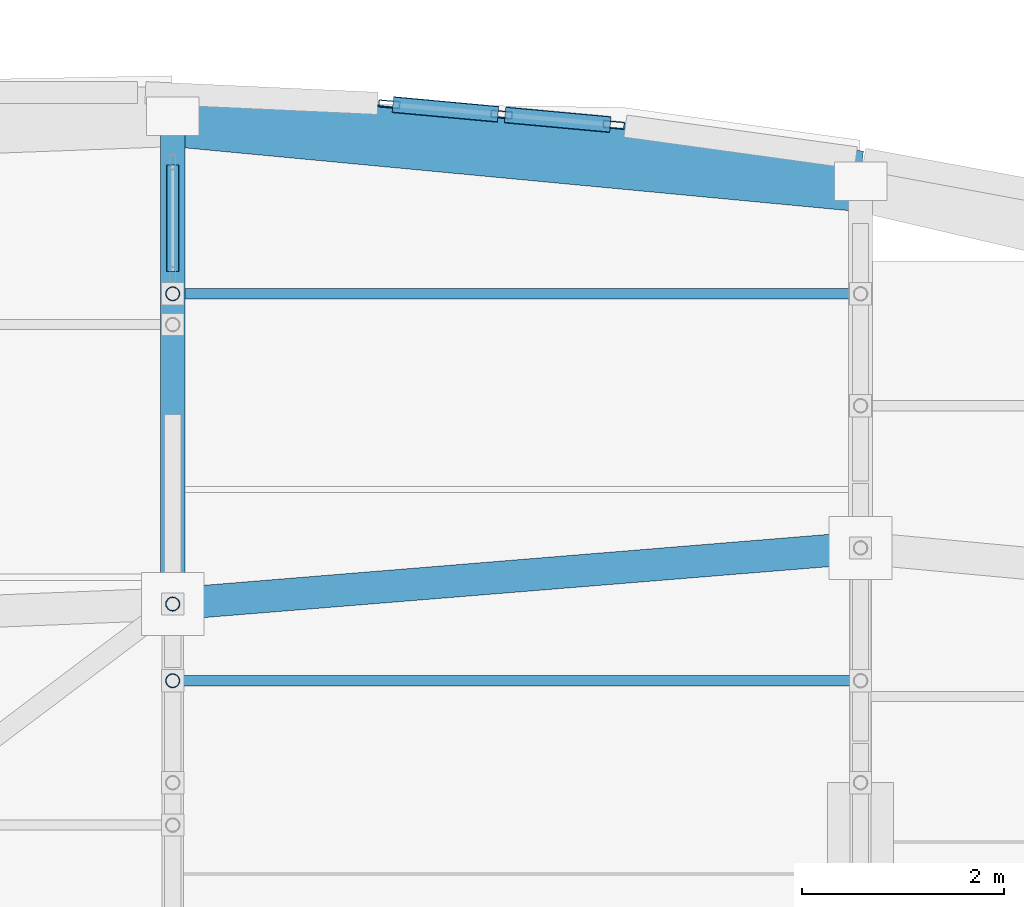
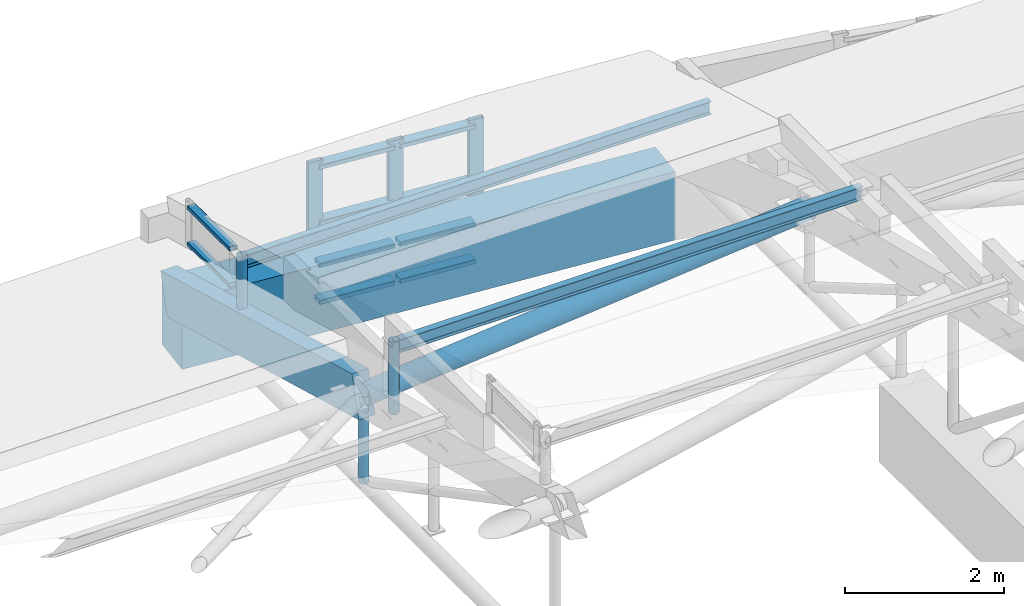
# One storey, part 101 of 188: 20 members, 1 beam, 2 elements without a shape of their own.
"""IFC4 building model written with IfcOpenShell, lengths in metres."""

from ifc_helpers import new_model, si_unit, direction, frame, origin, origin_2d, place, context, subcontext, project, spatial, rectangle, hollow_rectangle, hollow_circle, i_section, extrude, material, layer, layer_set, material_profile, profile_set, type_object, element, aggregate, save


model = new_model("IFC4")

# Units and contexts
model_context = context("Model", 3, precision=1e-05, world=origin(), true_north=direction((0.0, 1.0)))
body_context = subcontext(model_context, "Body", "Model", "MODEL_VIEW")
ifc_project = project(units=[si_unit("LENGTHUNIT", "METRE"), si_unit("AREAUNIT", "SQUARE_METRE"), si_unit("VOLUMEUNIT", "CUBIC_METRE"), si_unit("PLANEANGLEUNIT", "RADIAN"), si_unit("MASSUNIT", "GRAM", prefix="KILO")], contexts=[model_context])

# Site, building, storey
site_placement = place(None, origin())
site = spatial("IfcSite", under=ifc_project, at=site_placement, CompositionType="ELEMENT")
building_placement = place(site_placement, origin())
building = spatial("IfcBuilding", under=site, at=building_placement, Name="Kisaragi Civic Commons", CompositionType="ELEMENT")
storey_placement = place(building_placement, frame((0.0, 0.0, 9.60009765625)))
storey = spatial("IfcBuildingStorey", under=building, at=storey_placement, Name="L02", CompositionType="ELEMENT", Elevation=9.60009765625)

# Curtain wall, members
ifc_material_1 = material(Name="Thermally broken anodized aluminium and low-E double glazing", Category="aluminium")
ifc_layer_1 = layer(ifc_material_1, 0.2099609375, Name="Thermally broken anodized aluminium and low-E double glazing", Category="aluminium")
ifc_layer_set_1 = layer_set([ifc_layer_1], Name="Thermally broken anodized aluminium and low-E double glazing")
curtain_wall_type_1 = type_object("IfcCurtainWallType", Name="CW-02", PredefinedType="NOTDEFINED", material=ifc_layer_set_1)
curtain_wall_1_placement = place(storey_placement, origin())
curtain_wall_1 = element("IfcCurtainWall", 1, at=curtain_wall_1_placement, inside=storey, type_object=curtain_wall_type_1, Name="L02 curtain wall CW-02 CW-GAB-V2-224", PredefinedType="NOTDEFINED")
ifc_material_profile_1 = material_profile(ifc_material_1, hollow_rectangle(XDim=0.070068359375, YDim=0.2099609375, WallThickness=0.0048828125, InnerFilletRadius=0.0048828125, OuterFilletRadius=0.010009765625, at=origin_2d()), Name="CWM-70x210x5", Category="aluminium")
ifc_profile_set_1 = profile_set([ifc_material_profile_1], Name="Thermally broken anodized aluminium and low-E double glazing")
member_type_1 = type_object("IfcMemberType", Name="CWM-03", PredefinedType="MULLION", material=ifc_profile_set_1)
member_1_placement = place(storey_placement, frame((29.341064453125, 118.30712890625, -1.399169921875), z_axis=(0.0, 0.0, 1.0), x_axis=(0.091331750688, 0.995820521638, 0.0)))
member_1 = element("IfcMember", 2, at=member_1_placement, type_object=member_type_1, Name="CW-02 mullion 1", PredefinedType="MULLION", context=body_context, shape_type="SweptSolid", body=[
    extrude(hollow_rectangle(XDim=0.070068359375, YDim=0.2099609375, WallThickness=0.0048828125, InnerFilletRadius=0.0048828125, OuterFilletRadius=0.010009765625, at=origin_2d()), origin(), (0.0, 0.0, 1.0), 2.236328125),
])
member_2_placement = place(storey_placement, frame((30.451171875, 118.205322265625, -1.399169921875), z_axis=(0.0, 0.0, 1.0), x_axis=(0.091331750688, 0.995820521638, 0.0)))
member_2 = element("IfcMember", 3, at=member_2_placement, type_object=member_type_1, Name="CW-02 mullion 2", PredefinedType="MULLION", context=body_context, shape_type="SweptSolid", body=[
    extrude(hollow_rectangle(XDim=0.070068359375, YDim=0.2099609375, WallThickness=0.0048828125, InnerFilletRadius=0.0048828125, OuterFilletRadius=0.010009765625, at=origin_2d()), origin(), (0.0, 0.0, 1.0), 2.236328125),
])
member_3_placement = place(storey_placement, frame((31.56103515625, 118.103515625, -1.399169921875), z_axis=(0.0, 0.0, 1.0), x_axis=(0.091331750688, 0.995820521638, 0.0)))
member_3 = element("IfcMember", 4, at=member_3_placement, type_object=member_type_1, Name="CW-02 mullion 3", PredefinedType="MULLION", context=body_context, shape_type="SweptSolid", body=[
    extrude(hollow_rectangle(XDim=0.070068359375, YDim=0.2099609375, WallThickness=0.0048828125, InnerFilletRadius=0.0048828125, OuterFilletRadius=0.010009765625, at=origin_2d()), origin(), (0.0, 0.0, 1.0), 2.236328125),
])

ifc_layer_2 = layer(ifc_material_1, 0.14990234375, Name="Thermally broken anodized aluminium and low-E double glazing", Category="aluminium")
ifc_layer_set_2 = layer_set([ifc_layer_2], Name="Thermally broken anodized aluminium and low-E double glazing")
curtain_wall_type_2 = type_object("IfcCurtainWallType", Name="CW-03", PredefinedType="NOTDEFINED", material=ifc_layer_set_2)
curtain_wall_2_placement = place(storey_placement, origin())
curtain_wall_2 = element("IfcCurtainWall", 5, at=curtain_wall_2_placement, inside=storey, type_object=curtain_wall_type_2, Name="L02 curtain wall CW-03 CW-CL-V2-208", PredefinedType="NOTDEFINED")
ifc_material_profile_2 = material_profile(ifc_material_1, hollow_rectangle(XDim=0.1201171875, YDim=0.06005859375, WallThickness=0.00390625, InnerFilletRadius=0.00390625, OuterFilletRadius=0.008056640625, at=origin_2d()), Name="CWT-60x120x4", Category="aluminium")
ifc_profile_set_2 = profile_set([ifc_material_profile_2], Name="Thermally broken anodized aluminium and low-E double glazing")
member_type_2 = type_object("IfcMemberType", Name="CWT-01", PredefinedType="USERDEFINED", material=ifc_profile_set_2)
member_4_placement = place(storey_placement, frame((27.199951171875, 116.6533203125, 0.6806640625), z_axis=(0.0, 1.0, 0.0), x_axis=(-1.0, 0.0, 0.0)))
member_4 = element("IfcMember", 6, at=member_4_placement, type_object=member_type_2, Name="CW-03 transom 1.1", ObjectType="TRANSOM", PredefinedType="USERDEFINED", context=body_context, shape_type="SweptSolid", body=[
    extrude(hollow_rectangle(XDim=0.1201171875, YDim=0.06005859375, WallThickness=0.00390625, InnerFilletRadius=0.00390625, OuterFilletRadius=0.008056640625, at=origin_2d()), origin(), (0.0, 0.0, 1.0), 1.053466796875),
])
member_5_placement = place(storey_placement, frame((27.199951171875, 116.6533203125, 1.23876953125), z_axis=(0.0, 1.0, 0.0), x_axis=(-1.0, 0.0, 0.0)))
member_5 = element("IfcMember", 7, at=member_5_placement, type_object=member_type_2, Name="CW-03 transom 1.2", ObjectType="TRANSOM", PredefinedType="USERDEFINED", context=body_context, shape_type="SweptSolid", body=[
    extrude(hollow_rectangle(XDim=0.1201171875, YDim=0.06005859375, WallThickness=0.00390625, InnerFilletRadius=0.00390625, OuterFilletRadius=0.008056640625, at=origin_2d()), origin(), (0.0, 0.0, 1.0), 1.053466796875),
])
aggregate(curtain_wall_2, [member_4, member_5])

# Member
ifc_material_profile_3 = material_profile(ifc_material_1, hollow_rectangle(XDim=0.159912109375, YDim=0.070068359375, WallThickness=0.0048828125, InnerFilletRadius=0.0048828125, OuterFilletRadius=0.010009765625, at=origin_2d()), Name="CWT-70x160x5", Category="aluminium")
ifc_profile_set_3 = profile_set([ifc_material_profile_3], Name="Thermally broken anodized aluminium and low-E double glazing")
member_type_3 = type_object("IfcMemberType", Name="CWT-03", PredefinedType="USERDEFINED", material=ifc_profile_set_3)
member_6_placement = place(storey_placement, frame((29.3759765625, 118.303955078125, -1.319091796875), z_axis=(0.995816225258, -0.091378583449, 0.0), x_axis=(0.091378583449, 0.995816225258, 0.0)))
member_6 = element("IfcMember", 8, at=member_6_placement, type_object=member_type_3, Name="CW-02 transom 1.1", ObjectType="TRANSOM", PredefinedType="USERDEFINED", context=body_context, shape_type="SweptSolid", body=[
    extrude(hollow_rectangle(XDim=0.159912109375, YDim=0.070068359375, WallThickness=0.0048828125, InnerFilletRadius=0.0048828125, OuterFilletRadius=0.010009765625, at=origin_2d()), origin(), (0.0, 0.0, 1.0), 1.044677734375),
])

member_7_placement = place(storey_placement, frame((29.3759765625, 118.303955078125, -0.7490234375), z_axis=(0.995816225258, -0.091378583449, 0.0), x_axis=(0.091378583449, 0.995816225258, 0.0)))
member_7 = element("IfcMember", 9, at=member_7_placement, type_object=member_type_3, Name="CW-02 transom 1.2", ObjectType="TRANSOM", PredefinedType="USERDEFINED", context=body_context, shape_type="SweptSolid", body=[
    extrude(hollow_rectangle(XDim=0.159912109375, YDim=0.070068359375, WallThickness=0.0048828125, InnerFilletRadius=0.0048828125, OuterFilletRadius=0.010009765625, at=origin_2d()), origin(), (0.0, 0.0, 1.0), 1.044677734375),
])

member_8_placement = place(storey_placement, frame((29.3759765625, 118.303955078125, -0.09912109375), z_axis=(0.995816225258, -0.091378583449, 0.0), x_axis=(0.091378583449, 0.995816225258, 0.0)))
member_8 = element("IfcMember", 10, at=member_8_placement, type_object=member_type_3, Name="CW-02 transom 1.3", ObjectType="TRANSOM", PredefinedType="USERDEFINED", context=body_context, shape_type="SweptSolid", body=[
    extrude(hollow_rectangle(XDim=0.159912109375, YDim=0.070068359375, WallThickness=0.0048828125, InnerFilletRadius=0.0048828125, OuterFilletRadius=0.010009765625, at=origin_2d()), origin(), (0.0, 0.0, 1.0), 1.044677734375),
])

member_9_placement = place(storey_placement, frame((29.3759765625, 118.303955078125, 0.75732421875), z_axis=(0.995816225258, -0.091378583449, 0.0), x_axis=(0.091378583449, 0.995816225258, 0.0)))
member_9 = element("IfcMember", 11, at=member_9_placement, type_object=member_type_3, Name="CW-02 transom 1.4", ObjectType="TRANSOM", PredefinedType="USERDEFINED", context=body_context, shape_type="SweptSolid", body=[
    extrude(hollow_rectangle(XDim=0.159912109375, YDim=0.070068359375, WallThickness=0.0048828125, InnerFilletRadius=0.0048828125, OuterFilletRadius=0.010009765625, at=origin_2d()), origin(), (0.0, 0.0, 1.0), 1.044677734375),
])

member_10_placement = place(storey_placement, frame((30.486083984375, 118.2021484375, -1.319091796875), z_axis=(0.995816225258, -0.091378583449, 0.0), x_axis=(0.091378583449, 0.995816225258, 0.0)))
member_10 = element("IfcMember", 12, at=member_10_placement, type_object=member_type_3, Name="CW-02 transom 2.1", ObjectType="TRANSOM", PredefinedType="USERDEFINED", context=body_context, shape_type="SweptSolid", body=[
    extrude(hollow_rectangle(XDim=0.159912109375, YDim=0.070068359375, WallThickness=0.0048828125, InnerFilletRadius=0.0048828125, OuterFilletRadius=0.010009765625, at=origin_2d()), origin(), (0.0, 0.0, 1.0), 1.044677734375),
])

member_11_placement = place(storey_placement, frame((30.486083984375, 118.2021484375, -0.7490234375), z_axis=(0.995816225258, -0.091378583449, 0.0), x_axis=(0.091378583449, 0.995816225258, 0.0)))
member_11 = element("IfcMember", 13, at=member_11_placement, type_object=member_type_3, Name="CW-02 transom 2.2", ObjectType="TRANSOM", PredefinedType="USERDEFINED", context=body_context, shape_type="SweptSolid", body=[
    extrude(hollow_rectangle(XDim=0.159912109375, YDim=0.070068359375, WallThickness=0.0048828125, InnerFilletRadius=0.0048828125, OuterFilletRadius=0.010009765625, at=origin_2d()), origin(), (0.0, 0.0, 1.0), 1.044677734375),
])

member_12_placement = place(storey_placement, frame((30.486083984375, 118.2021484375, -0.09912109375), z_axis=(0.995816225258, -0.091378583449, 0.0), x_axis=(0.091378583449, 0.995816225258, 0.0)))
member_12 = element("IfcMember", 14, at=member_12_placement, type_object=member_type_3, Name="CW-02 transom 2.3", ObjectType="TRANSOM", PredefinedType="USERDEFINED", context=body_context, shape_type="SweptSolid", body=[
    extrude(hollow_rectangle(XDim=0.159912109375, YDim=0.070068359375, WallThickness=0.0048828125, InnerFilletRadius=0.0048828125, OuterFilletRadius=0.010009765625, at=origin_2d()), origin(), (0.0, 0.0, 1.0), 1.044677734375),
])

member_13_placement = place(storey_placement, frame((30.486083984375, 118.2021484375, 0.75732421875), z_axis=(0.995816225258, -0.091378583449, 0.0), x_axis=(0.091378583449, 0.995816225258, 0.0)))
member_13 = element("IfcMember", 15, at=member_13_placement, type_object=member_type_3, Name="CW-02 transom 2.4", ObjectType="TRANSOM", PredefinedType="USERDEFINED", context=body_context, shape_type="SweptSolid", body=[
    extrude(hollow_rectangle(XDim=0.159912109375, YDim=0.070068359375, WallThickness=0.0048828125, InnerFilletRadius=0.0048828125, OuterFilletRadius=0.010009765625, at=origin_2d()), origin(), (0.0, 0.0, 1.0), 1.044677734375),
])

aggregate(curtain_wall_1, [member_1, member_2, member_3, member_6, member_7, member_8, member_9, member_10, member_11, member_12, member_13])

# Beam
ifc_material_2 = material(Name="Concrete Fc36", Category="concrete")
ifc_material_profile_4 = material_profile(ifc_material_2, rectangle(XDim=0.60009765625, YDim=1.050048828125, at=origin_2d()), Name="RC-600x1050", Category="concrete")
ifc_profile_set_4 = profile_set([ifc_material_profile_4], Name="Concrete Fc36")
beam_type = type_object("IfcBeamType", Name="G-06", PredefinedType="BEAM", material=ifc_profile_set_4)
beam_placement = place(storey_placement, frame((34.0, 117.5458984375, -0.84521484375), z_axis=(-0.995564923416, 0.094077007088, 0.0), x_axis=(-0.094077007088, -0.995564923416, 0.0)))
element("IfcBeam", 16, at=beam_placement, inside=storey, type_object=beam_type, Name="L02 curved spandrel/ring girder G-06 284", PredefinedType="BEAM", context=body_context, shape_type="SweptSolid", body=[
    extrude(rectangle(XDim=0.60009765625, YDim=1.050048828125, at=origin_2d()), origin(), (0.0, 0.0, 1.0), 6.830322265625),
])

# Members
ifc_material_3 = material(Name="Steel SN490 (SN490B)", Category="steel")
ifc_material_profile_5 = material_profile(ifc_material_3, hollow_circle(Radius=0.1591796875, WallThickness=0.01025390625, at=origin_2d()), Name="CHS-318.5x10.3", Category="steel")
ifc_profile_set_5 = profile_set([ifc_material_profile_5], Name="Steel SN490 (SN490B)")
member_type_4 = type_object("IfcMemberType", Name="GC-03", PredefinedType="CHORD", material=ifc_profile_set_5)
member_14_placement = place(storey_placement, frame((27.199951171875, 113.36669921875, 0.98388671875), z_axis=(0.996438981548, 0.081209079385, 0.022681302348), x_axis=(-0.081229976107, 0.996695385251, 0.0)))
element("IfcMember", 17, at=member_14_placement, inside=storey, type_object=member_type_4, Name="V2 wave gridshell chord GC-03 35", PredefinedType="CHORD", context=body_context, shape_type="SweptSolid", body=[
    extrude(hollow_circle(Radius=0.1591796875, WallThickness=0.01025390625, at=origin_2d()), origin(), (0.0, 0.0, 1.0), 6.824462890625),
])
ifc_material_4 = material(Name="Glulam E120-F330", Category="wood")
ifc_material_profile_6 = material_profile(ifc_material_4, rectangle(XDim=0.239990234375, YDim=0.6298828125, at=origin_2d()), Name="GL-240x630", Category="wood")
ifc_profile_set_6 = profile_set([ifc_material_profile_6], Name="Glulam E120-F330")
member_type_5 = type_object("IfcMemberType", Name="GR-03", PredefinedType="RAFTER", material=ifc_profile_set_6)
member_15_placement = place(storey_placement, frame((27.199951171875, 113.36669921875, 0.98388671875), z_axis=(0.0, 0.963632460339, -0.267231138495), x_axis=(-1.0, 0.0, 0.0)))
element("IfcMember", 18, at=member_15_placement, inside=storey, type_object=member_type_5, Name="V2 glulam arch rib GR-03 40", PredefinedType="RAFTER", context=body_context, shape_type="SweptSolid", body=[
    extrude(rectangle(XDim=0.239990234375, YDim=0.6298828125, at=origin_2d()), origin(), (0.0, 0.0, 1.0), 5.003662109375),
])
ifc_material_5 = material(Name="Steel SN400 (SN400B)", Category="steel")
ifc_material_profile_7 = material_profile(ifc_material_5, i_section(OverallWidth=0.10009765625, OverallDepth=0.199951171875, WebThickness=0.005615234375, FlangeThickness=0.008056640625, FilletRadius=0.008056640625, at=origin_2d()), Name="H-200x100x5.5x8", Category="steel")
ifc_profile_set_7 = profile_set([ifc_material_profile_7], Name="Steel SN400 (SN400B)")
member_type_6 = type_object("IfcMemberType", Name="PR-02", PredefinedType="PURLIN", material=ifc_profile_set_7)
for number, where, z_axis, x_axis, name in (
    (19, (27.199951171875, 112.608154296875, 2.186279296875), (1.0, 0.0, 0.0), (0.0, 1.0, 0.0), "V2 wave vault steel purlin 39"),
    (20, (27.199951171875, 116.433349609375, 1.17578125), (1.0, 0.0, 0.0), (0.0, 1.0, 0.0), "V2 wave vault steel purlin 40"),
):
    element("IfcMember", number, at=place(storey_placement, frame(where, z_axis=z_axis, x_axis=x_axis)), inside=storey, type_object=member_type_6, Name=name, PredefinedType="PURLIN", context=body_context, shape_type="SweptSolid", body=[
        extrude(i_section(OverallWidth=0.10009765625, OverallDepth=0.199951171875, WebThickness=0.005615234375, FlangeThickness=0.008056640625, FilletRadius=0.008056640625, at=origin_2d()), origin(), (0.0, 0.0, 1.0), 6.800048828125),
    ])
ifc_material_profile_8 = material_profile(ifc_material_3, hollow_circle(Radius=0.06982421875, WallThickness=0.006103515625, at=origin_2d()), Name="CHS-139.8x6.0", Category="steel")
ifc_profile_set_8 = profile_set([ifc_material_profile_8], Name="Steel SN490 (SN490B)")
member_type_7 = type_object("IfcMemberType", Name="ST-H1", PredefinedType="STRUT", material=ifc_profile_set_8)
member_16_placement = place(storey_placement, frame((27.199951171875, 113.36669921875, -0.353271484375), z_axis=(0.0, 0.0, 1.0), x_axis=(1.0, 0.0, 0.0)))
element("IfcMember", 21, at=member_16_placement, inside=storey, type_object=member_type_7, Name="V2 arch tie hanger strut 65", PredefinedType="STRUT", context=body_context, shape_type="SweptSolid", body=[
    extrude(hollow_circle(Radius=0.06982421875, WallThickness=0.006103515625, at=origin_2d()), origin(), (0.0, 0.0, 1.0), 1.337158203125),
])
member_17_placement = place(storey_placement, frame((27.199951171875, 112.608154296875, 1.173095703125), z_axis=(0.0, 0.0, 1.0), x_axis=(1.0, 0.0, 0.0)))
element("IfcMember", 22, at=member_17_placement, inside=storey, type_object=member_type_7, Name="V2 clerestory monitor horizontal tie strut 5.4.7", PredefinedType="STRUT", context=body_context, shape_type="SweptSolid", body=[
    extrude(hollow_circle(Radius=0.06982421875, WallThickness=0.006103515625, at=origin_2d()), origin(), (0.0, 0.0, 1.0), 1.113037109375),
])
member_18_placement = place(storey_placement, frame((27.199951171875, 116.433349609375, 0.133544921875), z_axis=(0.0, 0.0, 1.0), x_axis=(1.0, 0.0, 0.0)))
element("IfcMember", 23, at=member_18_placement, inside=storey, type_object=member_type_7, Name="V2 clerestory monitor horizontal tie strut 5.4.8", PredefinedType="STRUT", context=body_context, shape_type="SweptSolid", body=[
    extrude(hollow_circle(Radius=0.06982421875, WallThickness=0.006103515625, at=origin_2d()), origin(), (0.0, 0.0, 1.0), 1.142333984375),
])

save(model, "model.ifc")
